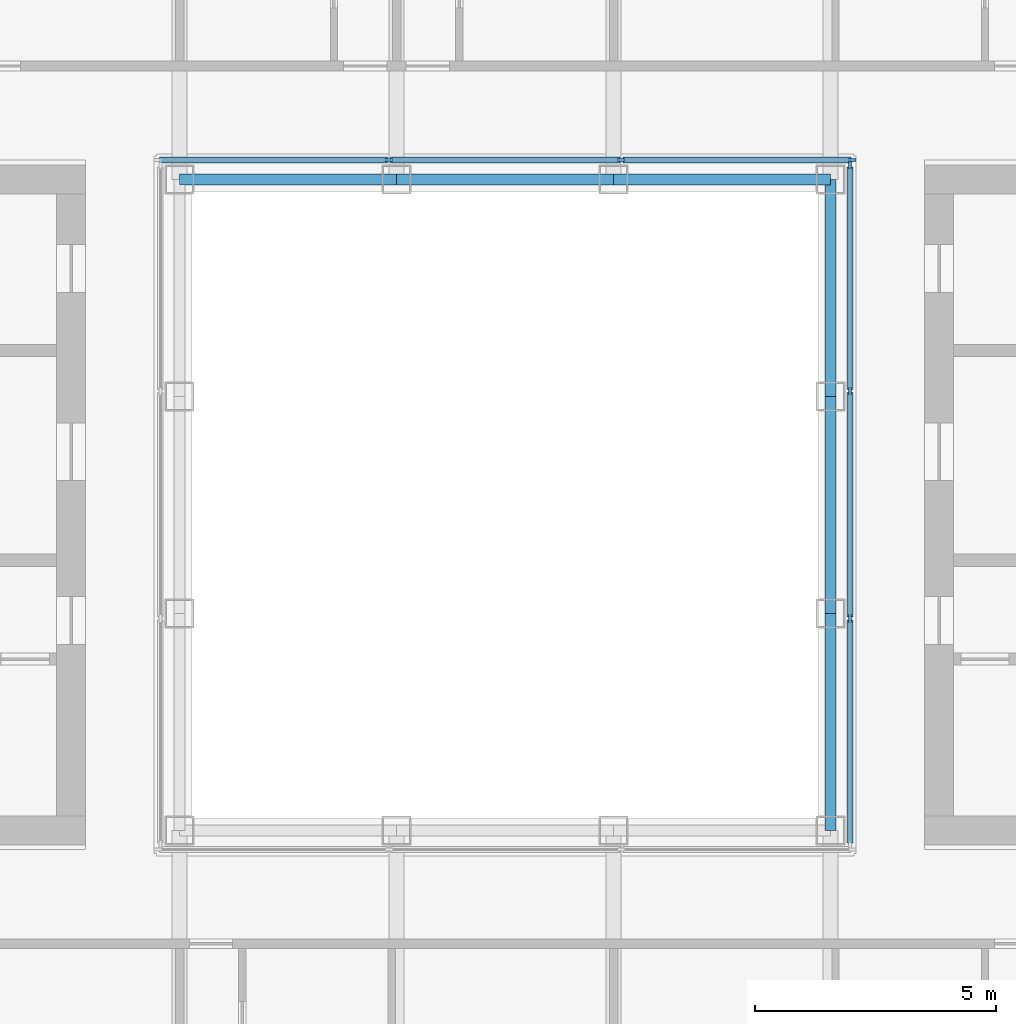
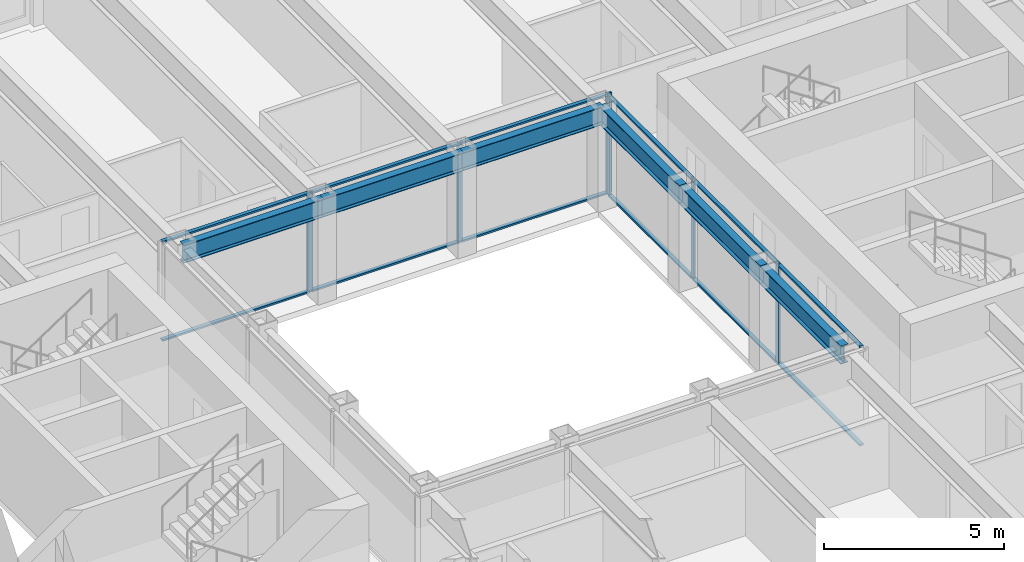
# One storey, part 5 of 17: 18 members, 6 beams, 2 elements without a shape of their own.
"""IFC4 building model written with IfcOpenShell, lengths in metres."""

import ifcopenshell
import ifcopenshell.guid

model = None  # the IFC model being written
_history = None  # IfcOwnerHistory: only IFC2X3 demands one
_inside = {}  # id of a spatial element -> (the spatial element, [elements in it])
_under = {}  # id of a project, library or spatial element -> (it, [spatial elements below it])
_declared = {}  # id of a project -> (the project, [libraries it declares])
_typed = {}  # id of a type object -> (the type object, [elements of that type])
_made_of = {}  # id of a material, layer set ... -> (it, [elements and type objects made of it])


def new_model(schema):
    """Start an empty IFC model of exactly this schema.

    Asked for "IFC4X3", IfcOpenShell would pick the latest addendum, in which some entities
    have other attributes; the version numbers below select the first issue.
    IFC2X3 requires an IfcOwnerHistory on every rooted entity: one is made here for all.
    """
    global model, _history
    if schema == "IFC4X3":
        model = ifcopenshell.file(schema_version=(4, 3, 0, 0))
    else:
        model = ifcopenshell.file(schema=schema)
    _inside.clear()
    _under.clear()
    _declared.clear()
    _typed.clear()
    _made_of.clear()
    _history = None
    if model.schema == "IFC2X3":
        org = make("IfcOrganization", Name="unknown")
        user = make(
            "IfcPersonAndOrganization",
            ThePerson=make("IfcPerson", FamilyName="unknown"),
            TheOrganization=org,
        )
        app = make(
            "IfcApplication",
            ApplicationDeveloper=org,
            Version="unknown",
            ApplicationFullName="unknown",
            ApplicationIdentifier="unknown",
        )
        _history = make(
            "IfcOwnerHistory",
            OwningUser=user,
            OwningApplication=app,
            ChangeAction="ADDED",
            CreationDate=0,
        )
    return model


def make(cls, **values):
    """One entity of the class cls with the attributes given. An attribute that is None is left unset."""
    return model.create_entity(
        cls, **{name: value for name, value in values.items() if value is not None}
    )


def rooted(cls, **values):
    """An entity with a GlobalId (a new one), such as an element, a storey or a relation."""
    return make(cls, GlobalId=ifcopenshell.guid.new(), OwnerHistory=_history, **values)


def si_unit(unit_type, name, prefix=None):
    """IfcSIUnit, for example si_unit("LENGTHUNIT", "METRE", prefix="MILLI")."""
    return make("IfcSIUnit", UnitType=unit_type, Prefix=prefix, Name=name)


def assignment(units):
    """IfcUnitAssignment: the units of a project."""
    return None if units is None else make("IfcUnitAssignment", Units=units)


def point(xyz):
    """IfcCartesianPoint."""
    return None if xyz is None else make("IfcCartesianPoint", Coordinates=xyz)


def direction(xyz):
    """IfcDirection."""
    return None if xyz is None else make("IfcDirection", DirectionRatios=xyz)


def frame(location, z_axis=None, x_axis=None):
    """IfcAxis2Placement3D, a coordinate frame: its origin and axes. An axis left out is left unset."""
    return make(
        "IfcAxis2Placement3D",
        Location=point(location),
        Axis=direction(z_axis),
        RefDirection=direction(x_axis),
    )


def frame_2d(location, x_axis=None):
    """IfcAxis2Placement2D, a coordinate frame in the plane: its origin and x axis."""
    return make(
        "IfcAxis2Placement2D", Location=point(location), RefDirection=direction(x_axis)
    )


def origin():
    """The frame at (0, 0, 0) with its axes left unset."""
    return frame((0.0, 0.0, 0.0))


def origin_2d():
    """The frame at (0, 0) in the plane with its x axis left unset."""
    return frame_2d((0.0, 0.0))


def place(relative_to, where):
    """IfcLocalPlacement: puts the frame where relative to a parent placement (None: the world)."""
    return make(
        "IfcLocalPlacement", PlacementRelTo=relative_to, RelativePlacement=where
    )


def context(
    kind, dimensions, precision=None, world=None, true_north=None, identifier=None
):
    """IfcGeometricRepresentationContext, for example the 3D "Model" context."""
    return make(
        "IfcGeometricRepresentationContext",
        ContextIdentifier=identifier,
        ContextType=kind,
        CoordinateSpaceDimension=dimensions,
        Precision=precision,
        WorldCoordinateSystem=world,
        TrueNorth=true_north,
    )


def subcontext(parent, identifier, kind, view, scale=None):
    """IfcGeometricRepresentationSubContext, for example "Body" below "Model"."""
    return make(
        "IfcGeometricRepresentationSubContext",
        ContextIdentifier=identifier,
        ContextType=kind,
        ParentContext=parent,
        TargetScale=scale,
        TargetView=view,
    )


def project(units=None, contexts=None):
    """IfcProject with its units and contexts."""
    return rooted(
        "IfcProject",
        Name="project",
        RepresentationContexts=contexts,
        UnitsInContext=assignment(units),
    )


def spatial(cls, under=None, at=None, **own):
    """A site, building, storey or space (cls), placed at a placement, below another one or the project."""
    s = rooted(cls, ObjectPlacement=at, **own)
    if under is not None:
        _under.setdefault(under.id(), (under, []))[1].append(s)
    return s


def profile(cls, at=None, kind="AREA", **sizes):
    """A parametric profile (cls). Its sizes go by their IFC names, for example OverallWidth=200.0."""
    return make(cls, ProfileType=kind, Position=at, **sizes)


def rectangle(**sizes):
    """IfcRectangleProfileDef."""
    return profile("IfcRectangleProfileDef", **sizes)


def i_section(**sizes):
    """IfcIShapeProfileDef."""
    return profile("IfcIShapeProfileDef", **sizes)


def extrude(swept, where, along, depth):
    """IfcExtrudedAreaSolid: the profile swept, set in the frame where, extruded along a direction by depth."""
    return make(
        "IfcExtrudedAreaSolid",
        SweptArea=swept,
        Position=where,
        ExtrudedDirection=direction(along),
        Depth=depth,
    )


def shape(context_of_items, identifier, shape_type, items):
    """IfcShapeRepresentation: the items that make up one representation, for example the "Body"."""
    return make(
        "IfcShapeRepresentation",
        ContextOfItems=context_of_items,
        RepresentationIdentifier=identifier,
        RepresentationType=shape_type,
        Items=items,
    )


def material(Name=None, Category=None):
    """IfcMaterial."""
    return make("IfcMaterial", Name=Name, Category=Category)


def material_profile(
    of_material, cross_section, Name=None, Category=None, Priority=None
):
    """IfcMaterialProfile: a cross section and its material."""
    return make(
        "IfcMaterialProfile",
        Name=Name,
        Material=of_material,
        Profile=cross_section,
        Priority=Priority,
        Category=Category,
    )


def profile_set(profiles, Name=None, composite=None):
    """IfcMaterialProfileSet."""
    return make(
        "IfcMaterialProfileSet",
        Name=Name,
        MaterialProfiles=profiles,
        CompositeProfile=composite,
    )


def made_of(thing, what):
    """Note that an element or type object is made of a material, layer set ...; save() writes the relation."""
    if what is not None:
        _made_of.setdefault(what.id(), (what, []))[1].append(thing)
    return thing


def type_object(cls, material=None, **own):
    """A type object (cls), such as IfcWallType, which elements share."""
    return made_of(rooted(cls, **own), material)


def element(
    cls,
    number,
    at=None,
    inside=None,
    cuts=None,
    type_object=None,
    material=None,
    context=None,
    identifier="Body",
    shape_type=None,
    held_by="IfcProductDefinitionShape",
    body=None,
    shapes=None,
    **own,
):
    """One element of the class cls, such as IfcWall. Its Tag is "e" and its number.

    at: its placement. inside: the storey or other place that contains it. cuts: it is an
    opening in that element (IfcRelVoidsElement). A single representation is given by context,
    identifier, shape_type and body (its items); several are given by shapes. held_by: the class
    of the entity that holds the representations. save() writes the other relations.
    """
    e = rooted(cls, Tag="e%d" % number, ObjectPlacement=at, **own)
    if body is not None:
        shapes = [shape(context, identifier, shape_type, body)]
    if shapes is not None:
        e.Representation = make(held_by, Representations=shapes)
    if inside is not None:
        _inside.setdefault(inside.id(), (inside, []))[1].append(e)
    if cuts is not None:
        rooted(
            "IfcRelVoidsElement", RelatingBuildingElement=cuts, RelatedOpeningElement=e
        )
    if type_object is not None:
        _typed.setdefault(type_object.id(), (type_object, []))[1].append(e)
    return made_of(e, material)


def aggregate(whole, parts):
    """IfcRelAggregates: a whole, such as a stair, and the parts it consists of."""
    return rooted("IfcRelAggregates", RelatingObject=whole, RelatedObjects=parts)


def save(model, path):
    """Write the relations noted so far, then the file.

    IfcRelAggregates (storeys below a building ...), IfcRelContainedInSpatialStructure (elements
    in a storey), IfcRelDefinesByType, IfcRelAssociatesMaterial and IfcRelDeclares: one each for
    every whole, place, type object, material and project.
    """
    for whole, parts in _under.values():
        aggregate(whole, parts)
    for where, things in _inside.values():
        rooted(
            "IfcRelContainedInSpatialStructure",
            RelatedElements=things,
            RelatingStructure=where,
        )
    for kind, things in _typed.values():
        rooted("IfcRelDefinesByType", RelatedObjects=things, RelatingType=kind)
    for what, things in _made_of.values():
        rooted("IfcRelAssociatesMaterial", RelatedObjects=things, RelatingMaterial=what)
    for by, libraries in _declared.values():
        rooted("IfcRelDeclares", RelatingContext=by, RelatedDefinitions=libraries)
    model.write(path)


model = new_model("IFC4")

# Units and contexts
model_context = context("Model", 3, precision=1e-05, world=origin(), true_north=direction((0.0, 1.0)))
body_context = subcontext(model_context, "Body", "Model", "MODEL_VIEW")
ifc_project = project(units=[si_unit("LENGTHUNIT", "METRE"), si_unit("AREAUNIT", "SQUARE_METRE"), si_unit("VOLUMEUNIT", "CUBIC_METRE"), si_unit("PLANEANGLEUNIT", "RADIAN"), si_unit("MASSUNIT", "GRAM", prefix="KILO")], contexts=[model_context])

# Site, building, storey
site_placement = place(None, origin())
site = spatial("IfcSite", under=ifc_project, at=site_placement, CompositionType="ELEMENT")
building_placement = place(site_placement, origin())
building = spatial("IfcBuilding", under=site, at=building_placement, Name="Msasa Ring Tower", CompositionType="ELEMENT")
storey_placement = place(building_placement, frame((0.0, 0.0, 172.39990234375)))
storey = spatial("IfcBuildingStorey", under=building, at=storey_placement, Name="L45", CompositionType="ELEMENT", Elevation=172.39990234375)

# Curtain wall, members
ifc_material_1 = material(Name="Aluminium curtain wall with clear glass", Category="aluminium")
curtain_wall_type = type_object("IfcCurtainWallType", Name="CW-W LIGHT WELL CURTAIN WALL", PredefinedType="NOTDEFINED", material=ifc_material_1)
curtain_wall_1_placement = place(storey_placement, origin())
curtain_wall_1 = element("IfcCurtainWall", 1, at=curtain_wall_1_placement, inside=storey, type_object=curtain_wall_type, Name="Light well curtain wall N L45", PredefinedType="NOTDEFINED")
ifc_material_2 = material(Name="Aluminium mullion", Category="aluminium")
ifc_material_profile_1 = material_profile(ifc_material_2, rectangle(XDim=0.06005859375, YDim=0.159912109375, at=origin_2d()), Name="AL 60x160")
ifc_profile_set_1 = profile_set([ifc_material_profile_1], Name="Aluminium mullion")
member_type_1 = type_object("IfcMemberType", Name="CW-W MULLION 60x160", PredefinedType="MULLION", material=ifc_profile_set_1)
member_1_placement = place(storey_placement, frame((-2.409912109375, 7.14990234375, 0.0), z_axis=(0.0, 0.0, 1.0), x_axis=(0.0, 1.0, 0.0)))
member_1 = element("IfcMember", 2, at=member_1_placement, type_object=member_type_1, Name="CW-W mullion 2", PredefinedType="MULLION", context=body_context, shape_type="SweptSolid", body=[
    extrude(rectangle(XDim=0.06005859375, YDim=0.159912109375, at=origin_2d()), origin(), (0.0, 0.0, 1.0), 3.400146484375),
])
member_2_placement = place(storey_placement, frame((2.409912109375, 7.14990234375, 0.0), z_axis=(0.0, 0.0, 1.0), x_axis=(0.0, 1.0, 0.0)))
member_2 = element("IfcMember", 3, at=member_2_placement, type_object=member_type_1, Name="CW-W mullion 3", PredefinedType="MULLION", context=body_context, shape_type="SweptSolid", body=[
    extrude(rectangle(XDim=0.06005859375, YDim=0.159912109375, at=origin_2d()), origin(), (0.0, 0.0, 1.0), 3.400146484375),
])
member_3_placement = place(storey_placement, frame((7.199951171875, 7.14990234375, 0.0), z_axis=(0.0, 0.0, 1.0), x_axis=(0.0, 1.0, 0.0)))
member_3 = element("IfcMember", 4, at=member_3_placement, type_object=member_type_1, Name="CW-W mullion 4", PredefinedType="MULLION", context=body_context, shape_type="SweptSolid", body=[
    extrude(rectangle(XDim=0.06005859375, YDim=0.159912109375, at=origin_2d()), origin(), (0.0, 0.0, 1.0), 3.400146484375),
])

curtain_wall_2_placement = place(storey_placement, origin())
curtain_wall_2 = element("IfcCurtainWall", 5, at=curtain_wall_2_placement, inside=storey, type_object=curtain_wall_type, Name="Light well curtain wall E L45", PredefinedType="NOTDEFINED")
member_4_placement = place(storey_placement, frame((7.14990234375, -2.356689453125, 0.0), z_axis=(0.0, 0.0, 1.0), x_axis=(-1.0, 0.0, 0.0)))
member_4 = element("IfcMember", 6, at=member_4_placement, type_object=member_type_1, Name="CW-W mullion 2", PredefinedType="MULLION", context=body_context, shape_type="SweptSolid", body=[
    extrude(rectangle(XDim=0.06005859375, YDim=0.159912109375, at=origin_2d()), origin(), (0.0, 0.0, 1.0), 3.400146484375),
])
member_5_placement = place(storey_placement, frame((7.14990234375, 2.356689453125, 0.0), z_axis=(0.0, 0.0, 1.0), x_axis=(-1.0, 0.0, 0.0)))
member_5 = element("IfcMember", 7, at=member_5_placement, type_object=member_type_1, Name="CW-W mullion 3", PredefinedType="MULLION", context=body_context, shape_type="SweptSolid", body=[
    extrude(rectangle(XDim=0.06005859375, YDim=0.159912109375, at=origin_2d()), origin(), (0.0, 0.0, 1.0), 3.400146484375),
])
member_6_placement = place(storey_placement, frame((7.14990234375, 7.0400390625, 0.0), z_axis=(0.0, 0.0, 1.0), x_axis=(-1.0, 0.0, 0.0)))
member_6 = element("IfcMember", 8, at=member_6_placement, type_object=member_type_1, Name="CW-W mullion 4", PredefinedType="MULLION", context=body_context, shape_type="SweptSolid", body=[
    extrude(rectangle(XDim=0.06005859375, YDim=0.159912109375, at=origin_2d()), origin(), (0.0, 0.0, 1.0), 3.400146484375),
])

# Member
ifc_material_3 = material(Name="Aluminium transom", Category="aluminium")
ifc_material_profile_2 = material_profile(ifc_material_3, rectangle(XDim=0.1201171875, YDim=0.06005859375, at=origin_2d()), Name="AL 60x120")
ifc_profile_set_2 = profile_set([ifc_material_profile_2], Name="Aluminium transom")
member_type_2 = type_object("IfcMemberType", Name="CW-W TRANSOM 60x120", PredefinedType="USERDEFINED", material=ifc_profile_set_2)
member_7_placement = place(storey_placement, frame((-7.169921875, 7.14990234375, 0.030029296875), z_axis=(1.0, 0.0, 0.0), x_axis=(0.0, 1.0, 0.0)))
member_7 = element("IfcMember", 9, at=member_7_placement, type_object=member_type_2, Name="CW-W transom 1.1", ObjectType="TRANSOM", PredefinedType="USERDEFINED", context=body_context, shape_type="SweptSolid", body=[
    extrude(rectangle(XDim=0.1201171875, YDim=0.06005859375, at=origin_2d()), origin(), (0.0, 0.0, 1.0), 4.72998046875),
])

member_8_placement = place(storey_placement, frame((-7.169921875, 7.14990234375, 3.3701171875), z_axis=(1.0, 0.0, 0.0), x_axis=(0.0, 1.0, 0.0)))
member_8 = element("IfcMember", 10, at=member_8_placement, type_object=member_type_2, Name="CW-W transom 1.2", ObjectType="TRANSOM", PredefinedType="USERDEFINED", context=body_context, shape_type="SweptSolid", body=[
    extrude(rectangle(XDim=0.1201171875, YDim=0.06005859375, at=origin_2d()), origin(), (0.0, 0.0, 1.0), 4.72998046875),
])

member_9_placement = place(storey_placement, frame((-2.3798828125, 7.14990234375, 0.030029296875), z_axis=(1.0, 0.0, 0.0), x_axis=(0.0, 1.0, 0.0)))
member_9 = element("IfcMember", 11, at=member_9_placement, type_object=member_type_2, Name="CW-W transom 2.1", ObjectType="TRANSOM", PredefinedType="USERDEFINED", context=body_context, shape_type="SweptSolid", body=[
    extrude(rectangle(XDim=0.1201171875, YDim=0.06005859375, at=origin_2d()), origin(), (0.0, 0.0, 1.0), 4.759765625),
])

member_10_placement = place(storey_placement, frame((-2.3798828125, 7.14990234375, 3.3701171875), z_axis=(1.0, 0.0, 0.0), x_axis=(0.0, 1.0, 0.0)))
member_10 = element("IfcMember", 12, at=member_10_placement, type_object=member_type_2, Name="CW-W transom 2.2", ObjectType="TRANSOM", PredefinedType="USERDEFINED", context=body_context, shape_type="SweptSolid", body=[
    extrude(rectangle(XDim=0.1201171875, YDim=0.06005859375, at=origin_2d()), origin(), (0.0, 0.0, 1.0), 4.759765625),
])

member_11_placement = place(storey_placement, frame((2.43994140625, 7.14990234375, 0.030029296875), z_axis=(1.0, 0.0, 0.0), x_axis=(0.0, 1.0, 0.0)))
member_11 = element("IfcMember", 13, at=member_11_placement, type_object=member_type_2, Name="CW-W transom 3.1", ObjectType="TRANSOM", PredefinedType="USERDEFINED", context=body_context, shape_type="SweptSolid", body=[
    extrude(rectangle(XDim=0.1201171875, YDim=0.06005859375, at=origin_2d()), origin(), (0.0, 0.0, 1.0), 4.72998046875),
])

member_12_placement = place(storey_placement, frame((2.43994140625, 7.14990234375, 3.3701171875), z_axis=(1.0, 0.0, 0.0), x_axis=(0.0, 1.0, 0.0)))
member_12 = element("IfcMember", 14, at=member_12_placement, type_object=member_type_2, Name="CW-W transom 3.2", ObjectType="TRANSOM", PredefinedType="USERDEFINED", context=body_context, shape_type="SweptSolid", body=[
    extrude(rectangle(XDim=0.1201171875, YDim=0.06005859375, at=origin_2d()), origin(), (0.0, 0.0, 1.0), 4.72998046875),
])

aggregate(curtain_wall_1, [member_1, member_2, member_3, member_7, member_8, member_9, member_10, member_11, member_12])

member_13_placement = place(storey_placement, frame((7.14990234375, -7.010009765625, 0.030029296875), z_axis=(0.0, 1.0, 0.0), x_axis=(-1.0, 0.0, 0.0)))
member_13 = element("IfcMember", 15, at=member_13_placement, type_object=member_type_2, Name="CW-W transom 1.1", ObjectType="TRANSOM", PredefinedType="USERDEFINED", context=body_context, shape_type="SweptSolid", body=[
    extrude(rectangle(XDim=0.1201171875, YDim=0.06005859375, at=origin_2d()), origin(), (0.0, 0.0, 1.0), 4.623291015625),
])

member_14_placement = place(storey_placement, frame((7.14990234375, -7.010009765625, 3.3701171875), z_axis=(0.0, 1.0, 0.0), x_axis=(-1.0, 0.0, 0.0)))
member_14 = element("IfcMember", 16, at=member_14_placement, type_object=member_type_2, Name="CW-W transom 1.2", ObjectType="TRANSOM", PredefinedType="USERDEFINED", context=body_context, shape_type="SweptSolid", body=[
    extrude(rectangle(XDim=0.1201171875, YDim=0.06005859375, at=origin_2d()), origin(), (0.0, 0.0, 1.0), 4.623291015625),
])

member_15_placement = place(storey_placement, frame((7.14990234375, -2.32666015625, 0.030029296875), z_axis=(0.0, 1.0, 0.0), x_axis=(-1.0, 0.0, 0.0)))
member_15 = element("IfcMember", 17, at=member_15_placement, type_object=member_type_2, Name="CW-W transom 2.1", ObjectType="TRANSOM", PredefinedType="USERDEFINED", context=body_context, shape_type="SweptSolid", body=[
    extrude(rectangle(XDim=0.1201171875, YDim=0.06005859375, at=origin_2d()), origin(), (0.0, 0.0, 1.0), 4.6533203125),
])

member_16_placement = place(storey_placement, frame((7.14990234375, -2.32666015625, 3.3701171875), z_axis=(0.0, 1.0, 0.0), x_axis=(-1.0, 0.0, 0.0)))
member_16 = element("IfcMember", 18, at=member_16_placement, type_object=member_type_2, Name="CW-W transom 2.2", ObjectType="TRANSOM", PredefinedType="USERDEFINED", context=body_context, shape_type="SweptSolid", body=[
    extrude(rectangle(XDim=0.1201171875, YDim=0.06005859375, at=origin_2d()), origin(), (0.0, 0.0, 1.0), 4.6533203125),
])

member_17_placement = place(storey_placement, frame((7.14990234375, 2.38671875, 0.030029296875), z_axis=(0.0, 1.0, 0.0), x_axis=(-1.0, 0.0, 0.0)))
member_17 = element("IfcMember", 19, at=member_17_placement, type_object=member_type_2, Name="CW-W transom 3.1", ObjectType="TRANSOM", PredefinedType="USERDEFINED", context=body_context, shape_type="SweptSolid", body=[
    extrude(rectangle(XDim=0.1201171875, YDim=0.06005859375, at=origin_2d()), origin(), (0.0, 0.0, 1.0), 4.623291015625),
])

member_18_placement = place(storey_placement, frame((7.14990234375, 2.38671875, 3.3701171875), z_axis=(0.0, 1.0, 0.0), x_axis=(-1.0, 0.0, 0.0)))
member_18 = element("IfcMember", 20, at=member_18_placement, type_object=member_type_2, Name="CW-W transom 3.2", ObjectType="TRANSOM", PredefinedType="USERDEFINED", context=body_context, shape_type="SweptSolid", body=[
    extrude(rectangle(XDim=0.1201171875, YDim=0.06005859375, at=origin_2d()), origin(), (0.0, 0.0, 1.0), 4.623291015625),
])

aggregate(curtain_wall_2, [member_4, member_5, member_6, member_13, member_14, member_15, member_16, member_17, member_18])

# Beams
ifc_material_4 = material(Name="Steel S355", Category="steel")
ifc_material_profile_3 = material_profile(ifc_material_4, i_section(OverallWidth=0.230224609375, OverallDepth=0.6171875, WebThickness=0.01318359375, FlangeThickness=0.022216796875, FilletRadius=0.0126953125, at=origin_2d()), Name="UB 610x229x140")
ifc_profile_set_3 = profile_set([ifc_material_profile_3], Name="Steel S355")
beam_type = type_object("IfcBeamType", Name="RB1 UB 610x229x140", PredefinedType="BEAM", material=ifc_profile_set_3)
for number, where, z_axis, x_axis, name in (
    (21, (6.75, -6.75, 3.091552734375), (0.0, 1.0, 0.0), (-1.0, 0.0, 0.0), "Inner ring beam IR+6.75-6.75 under L46"),
    (22, (6.75, -2.25, 3.091552734375), (0.0, 1.0, 0.0), (-1.0, 0.0, 0.0), "Inner ring beam IR+6.75-2.25 under L46"),
    (23, (6.75, 2.25, 3.091552734375), (0.0, 1.0, 0.0), (-1.0, 0.0, 0.0), "Inner ring beam IR+6.75+2.25 under L46"),
    (24, (6.75, 6.75, 3.091552734375), (-1.0, 0.0, 0.0), (0.0, -1.0, 0.0), "Inner ring beam IR+6.75+6.75 under L46"),
    (25, (2.25, 6.75, 3.091552734375), (-1.0, 0.0, 0.0), (0.0, -1.0, 0.0), "Inner ring beam IR+2.25+6.75 under L46"),
    (26, (-2.25, 6.75, 3.091552734375), (-1.0, 0.0, 0.0), (0.0, -1.0, 0.0), "Inner ring beam IR-2.25+6.75 under L46"),
):
    element("IfcBeam", number, at=place(storey_placement, frame(where, z_axis=z_axis, x_axis=x_axis)), inside=storey, type_object=beam_type, Name=name, PredefinedType="BEAM", context=body_context, shape_type="SweptSolid", body=[
        extrude(i_section(OverallWidth=0.230224609375, OverallDepth=0.6171875, WebThickness=0.01318359375, FlangeThickness=0.022216796875, FilletRadius=0.0126953125, at=origin_2d()), origin(), (0.0, 0.0, 1.0), 4.5),
    ])

save(model, "model.ifc")
